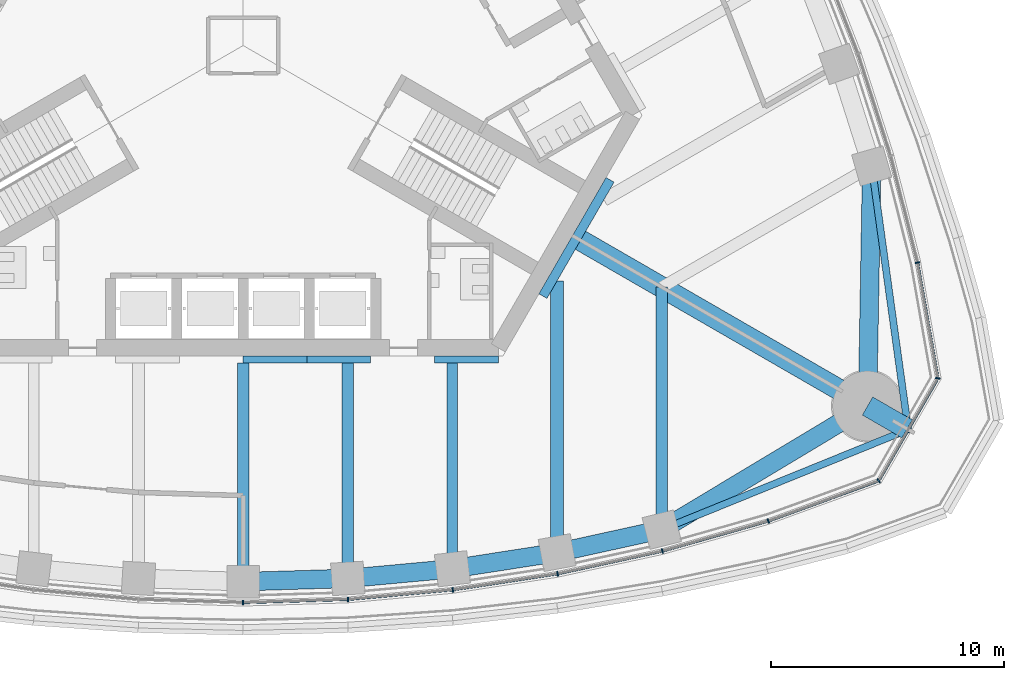
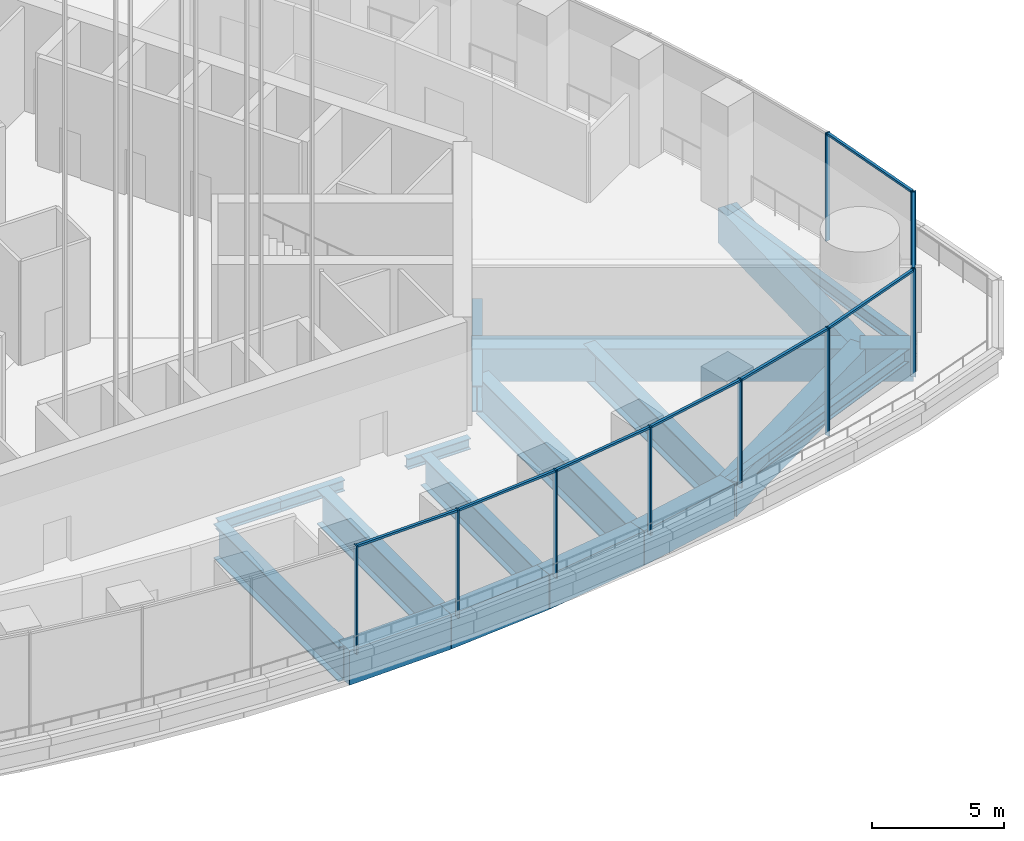
# One storey, part 4 of 26: 20 beams, 17 members, 2 elements without a shape of their own.
"""IFC4 building model written with IfcOpenShell, lengths in metres."""

import ifcopenshell
import ifcopenshell.guid

model = None  # the IFC model being written
_history = None  # IfcOwnerHistory: only IFC2X3 demands one
_inside = {}  # id of a spatial element -> (the spatial element, [elements in it])
_under = {}  # id of a project, library or spatial element -> (it, [spatial elements below it])
_declared = {}  # id of a project -> (the project, [libraries it declares])
_typed = {}  # id of a type object -> (the type object, [elements of that type])
_made_of = {}  # id of a material, layer set ... -> (it, [elements and type objects made of it])


def new_model(schema):
    """Start an empty IFC model of exactly this schema.

    Asked for "IFC4X3", IfcOpenShell would pick the latest addendum, in which some entities
    have other attributes; the version numbers below select the first issue.
    IFC2X3 requires an IfcOwnerHistory on every rooted entity: one is made here for all.
    """
    global model, _history
    if schema == "IFC4X3":
        model = ifcopenshell.file(schema_version=(4, 3, 0, 0))
    else:
        model = ifcopenshell.file(schema=schema)
    _inside.clear()
    _under.clear()
    _declared.clear()
    _typed.clear()
    _made_of.clear()
    _history = None
    if model.schema == "IFC2X3":
        org = make("IfcOrganization", Name="unknown")
        user = make(
            "IfcPersonAndOrganization",
            ThePerson=make("IfcPerson", FamilyName="unknown"),
            TheOrganization=org,
        )
        app = make(
            "IfcApplication",
            ApplicationDeveloper=org,
            Version="unknown",
            ApplicationFullName="unknown",
            ApplicationIdentifier="unknown",
        )
        _history = make(
            "IfcOwnerHistory",
            OwningUser=user,
            OwningApplication=app,
            ChangeAction="ADDED",
            CreationDate=0,
        )
    return model


def make(cls, **values):
    """One entity of the class cls with the attributes given. An attribute that is None is left unset."""
    return model.create_entity(
        cls, **{name: value for name, value in values.items() if value is not None}
    )


def rooted(cls, **values):
    """An entity with a GlobalId (a new one), such as an element, a storey or a relation."""
    return make(cls, GlobalId=ifcopenshell.guid.new(), OwnerHistory=_history, **values)


def si_unit(unit_type, name, prefix=None):
    """IfcSIUnit, for example si_unit("LENGTHUNIT", "METRE", prefix="MILLI")."""
    return make("IfcSIUnit", UnitType=unit_type, Prefix=prefix, Name=name)


def assignment(units):
    """IfcUnitAssignment: the units of a project."""
    return None if units is None else make("IfcUnitAssignment", Units=units)


def point(xyz):
    """IfcCartesianPoint."""
    return None if xyz is None else make("IfcCartesianPoint", Coordinates=xyz)


def direction(xyz):
    """IfcDirection."""
    return None if xyz is None else make("IfcDirection", DirectionRatios=xyz)


def frame(location, z_axis=None, x_axis=None):
    """IfcAxis2Placement3D, a coordinate frame: its origin and axes. An axis left out is left unset."""
    return make(
        "IfcAxis2Placement3D",
        Location=point(location),
        Axis=direction(z_axis),
        RefDirection=direction(x_axis),
    )


def frame_2d(location, x_axis=None):
    """IfcAxis2Placement2D, a coordinate frame in the plane: its origin and x axis."""
    return make(
        "IfcAxis2Placement2D", Location=point(location), RefDirection=direction(x_axis)
    )


def origin():
    """The frame at (0, 0, 0) with its axes left unset."""
    return frame((0.0, 0.0, 0.0))


def origin_2d():
    """The frame at (0, 0) in the plane with its x axis left unset."""
    return frame_2d((0.0, 0.0))


def place(relative_to, where):
    """IfcLocalPlacement: puts the frame where relative to a parent placement (None: the world)."""
    return make(
        "IfcLocalPlacement", PlacementRelTo=relative_to, RelativePlacement=where
    )


def context(
    kind, dimensions, precision=None, world=None, true_north=None, identifier=None
):
    """IfcGeometricRepresentationContext, for example the 3D "Model" context."""
    return make(
        "IfcGeometricRepresentationContext",
        ContextIdentifier=identifier,
        ContextType=kind,
        CoordinateSpaceDimension=dimensions,
        Precision=precision,
        WorldCoordinateSystem=world,
        TrueNorth=true_north,
    )


def subcontext(parent, identifier, kind, view, scale=None):
    """IfcGeometricRepresentationSubContext, for example "Body" below "Model"."""
    return make(
        "IfcGeometricRepresentationSubContext",
        ContextIdentifier=identifier,
        ContextType=kind,
        ParentContext=parent,
        TargetScale=scale,
        TargetView=view,
    )


def project(units=None, contexts=None):
    """IfcProject with its units and contexts."""
    return rooted(
        "IfcProject",
        Name="project",
        RepresentationContexts=contexts,
        UnitsInContext=assignment(units),
    )


def spatial(cls, under=None, at=None, **own):
    """A site, building, storey or space (cls), placed at a placement, below another one or the project."""
    s = rooted(cls, ObjectPlacement=at, **own)
    if under is not None:
        _under.setdefault(under.id(), (under, []))[1].append(s)
    return s


def profile(cls, at=None, kind="AREA", **sizes):
    """A parametric profile (cls). Its sizes go by their IFC names, for example OverallWidth=200.0."""
    return make(cls, ProfileType=kind, Position=at, **sizes)


def rectangle(**sizes):
    """IfcRectangleProfileDef."""
    return profile("IfcRectangleProfileDef", **sizes)


def i_section(**sizes):
    """IfcIShapeProfileDef."""
    return profile("IfcIShapeProfileDef", **sizes)


def extrude(swept, where, along, depth):
    """IfcExtrudedAreaSolid: the profile swept, set in the frame where, extruded along a direction by depth."""
    return make(
        "IfcExtrudedAreaSolid",
        SweptArea=swept,
        Position=where,
        ExtrudedDirection=direction(along),
        Depth=depth,
    )


def shape(context_of_items, identifier, shape_type, items):
    """IfcShapeRepresentation: the items that make up one representation, for example the "Body"."""
    return make(
        "IfcShapeRepresentation",
        ContextOfItems=context_of_items,
        RepresentationIdentifier=identifier,
        RepresentationType=shape_type,
        Items=items,
    )


def material(Name=None, Category=None):
    """IfcMaterial."""
    return make("IfcMaterial", Name=Name, Category=Category)


def material_profile(
    of_material, cross_section, Name=None, Category=None, Priority=None
):
    """IfcMaterialProfile: a cross section and its material."""
    return make(
        "IfcMaterialProfile",
        Name=Name,
        Material=of_material,
        Profile=cross_section,
        Priority=Priority,
        Category=Category,
    )


def profile_set(profiles, Name=None, composite=None):
    """IfcMaterialProfileSet."""
    return make(
        "IfcMaterialProfileSet",
        Name=Name,
        MaterialProfiles=profiles,
        CompositeProfile=composite,
    )


def made_of(thing, what):
    """Note that an element or type object is made of a material, layer set ...; save() writes the relation."""
    if what is not None:
        _made_of.setdefault(what.id(), (what, []))[1].append(thing)
    return thing


def type_object(cls, material=None, **own):
    """A type object (cls), such as IfcWallType, which elements share."""
    return made_of(rooted(cls, **own), material)


def element(
    cls,
    number,
    at=None,
    inside=None,
    cuts=None,
    type_object=None,
    material=None,
    context=None,
    identifier="Body",
    shape_type=None,
    held_by="IfcProductDefinitionShape",
    body=None,
    shapes=None,
    **own,
):
    """One element of the class cls, such as IfcWall. Its Tag is "e" and its number.

    at: its placement. inside: the storey or other place that contains it. cuts: it is an
    opening in that element (IfcRelVoidsElement). A single representation is given by context,
    identifier, shape_type and body (its items); several are given by shapes. held_by: the class
    of the entity that holds the representations. save() writes the other relations.
    """
    e = rooted(cls, Tag="e%d" % number, ObjectPlacement=at, **own)
    if body is not None:
        shapes = [shape(context, identifier, shape_type, body)]
    if shapes is not None:
        e.Representation = make(held_by, Representations=shapes)
    if inside is not None:
        _inside.setdefault(inside.id(), (inside, []))[1].append(e)
    if cuts is not None:
        rooted(
            "IfcRelVoidsElement", RelatingBuildingElement=cuts, RelatedOpeningElement=e
        )
    if type_object is not None:
        _typed.setdefault(type_object.id(), (type_object, []))[1].append(e)
    return made_of(e, material)


def aggregate(whole, parts):
    """IfcRelAggregates: a whole, such as a stair, and the parts it consists of."""
    return rooted("IfcRelAggregates", RelatingObject=whole, RelatedObjects=parts)


def save(model, path):
    """Write the relations noted so far, then the file.

    IfcRelAggregates (storeys below a building ...), IfcRelContainedInSpatialStructure (elements
    in a storey), IfcRelDefinesByType, IfcRelAssociatesMaterial and IfcRelDeclares: one each for
    every whole, place, type object, material and project.
    """
    for whole, parts in _under.values():
        aggregate(whole, parts)
    for where, things in _inside.values():
        rooted(
            "IfcRelContainedInSpatialStructure",
            RelatedElements=things,
            RelatingStructure=where,
        )
    for kind, things in _typed.values():
        rooted("IfcRelDefinesByType", RelatedObjects=things, RelatingType=kind)
    for what, things in _made_of.values():
        rooted("IfcRelAssociatesMaterial", RelatedObjects=things, RelatingMaterial=what)
    for by, libraries in _declared.values():
        rooted("IfcRelDeclares", RelatingContext=by, RelatedDefinitions=libraries)
    model.write(path)


model = new_model("IFC4")

# Units and contexts
model_context = context("Model", 3, precision=1e-05, world=origin(), true_north=direction((0.0, 1.0)))
body_context = subcontext(model_context, "Body", "Model", "MODEL_VIEW")
ifc_project = project(units=[si_unit("LENGTHUNIT", "METRE"), si_unit("AREAUNIT", "SQUARE_METRE"), si_unit("VOLUMEUNIT", "CUBIC_METRE"), si_unit("PLANEANGLEUNIT", "RADIAN"), si_unit("MASSUNIT", "GRAM", prefix="KILO")], contexts=[model_context])

# Site, building, storey
site_placement = place(None, origin())
site = spatial("IfcSite", under=ifc_project, at=site_placement, CompositionType="ELEMENT")
building_placement = place(site_placement, origin())
building = spatial("IfcBuilding", under=site, at=building_placement, Name="Trefoil Bronze Tower", CompositionType="ELEMENT")
storey_placement = place(building_placement, frame((0.0, 0.0, 271.300048828125)))
storey = spatial("IfcBuildingStorey", under=building, at=storey_placement, Name="L62", CompositionType="ELEMENT", Elevation=271.300048828125)

# Curtain wall, members
ifc_material_1 = material(Name="Tinted solar-control glass", Category="glass")
curtain_wall_type_1 = type_object("IfcCurtainWallType", Name="Bronze rounded corner curtain wall", PredefinedType="USERDEFINED", material=ifc_material_1)
curtain_wall_1_placement = place(storey_placement, origin())
curtain_wall_1 = element("IfcCurtainWall", 1, at=curtain_wall_1_placement, inside=storey, type_object=curtain_wall_type_1, Name="CW-B L62 K1", ObjectType="CURTAIN WALL", PredefinedType="USERDEFINED")
ifc_material_2 = material(Name="Bronze-finish aluminium", Category="aluminium")
ifc_material_profile_1 = material_profile(ifc_material_2, rectangle(XDim=0.199951171875, YDim=0.06005859375, at=origin_2d()), Name="CW-B mullion")
ifc_profile_set_1 = profile_set([ifc_material_profile_1], Name="Bronze-finish aluminium")
member_type_1 = type_object("IfcMemberType", Name="Bronze rounded corner curtain wall mullion", PredefinedType="MULLION", material=ifc_profile_set_1)
member_1_placement = place(storey_placement, frame((22.58251953125, -20.445556640625, 0.0), z_axis=(0.0, 0.0, 1.0), x_axis=(-0.342020143326, 0.939692620786, 0.0)))
member_1 = element("IfcMember", 2, at=member_1_placement, type_object=member_type_1, Name="CW-B L62 K1 mullion 1", PredefinedType="MULLION", context=body_context, shape_type="SweptSolid", body=[
    extrude(rectangle(XDim=0.199951171875, YDim=0.06005859375, at=origin_2d()), origin(), (0.0, 0.0, 1.0), 4.97998046875),
])
member_2_placement = place(storey_placement, frame((27.326416015625, -18.712646484375, 0.0), z_axis=(0.0, 0.0, 1.0), x_axis=(-0.642787609687, 0.766044443119, 0.0)))
member_2 = element("IfcMember", 3, at=member_2_placement, type_object=member_type_1, Name="CW-B L62 K1 mullion 2", PredefinedType="MULLION", context=body_context, shape_type="SweptSolid", body=[
    extrude(rectangle(XDim=0.199951171875, YDim=0.06005859375, at=origin_2d()), origin(), (0.0, 0.0, 1.0), 4.97998046875),
])
member_3_placement = place(storey_placement, frame((29.86865234375, -14.30908203125, 0.0), z_axis=(0.0, 0.0, 1.0), x_axis=(-0.984807753012, 0.173648177667, 0.0)))
member_3 = element("IfcMember", 4, at=member_3_placement, type_object=member_type_1, Name="CW-B L62 K1 mullion 3", PredefinedType="MULLION", context=body_context, shape_type="SweptSolid", body=[
    extrude(rectangle(XDim=0.199951171875, YDim=0.06005859375, at=origin_2d()), origin(), (0.0, 0.0, 1.0), 4.97998046875),
])
member_4_placement = place(storey_placement, frame((28.99755859375, -9.334228515625, 0.0), z_axis=(0.0, 0.0, 1.0), x_axis=(-0.984807753012, -0.173648177667, 0.0)))
member_4 = element("IfcMember", 5, at=member_4_placement, type_object=member_type_1, Name="CW-B L62 K1 mullion 4", PredefinedType="MULLION", context=body_context, shape_type="SweptSolid", body=[
    extrude(rectangle(XDim=0.199951171875, YDim=0.06005859375, at=origin_2d()), origin(), (0.0, 0.0, 1.0), 4.97998046875),
])
ifc_material_3 = material(Name="Bronze-finish aluminium", Category="aluminium")
ifc_material_profile_2 = material_profile(ifc_material_3, rectangle(XDim=0.1201171875, YDim=0.10009765625, at=origin_2d()), Name="CW-B transom")
ifc_profile_set_2 = profile_set([ifc_material_profile_2], Name="Bronze-finish aluminium")
member_type_2 = type_object("IfcMemberType", Name="Bronze rounded corner curtain wall transom", PredefinedType="USERDEFINED", material=ifc_profile_set_2)
member_5_placement = place(storey_placement, frame((22.610595703125, -20.435302734375, 4.929931640625), z_axis=(0.93969990549, 0.342000128103, 0.0), x_axis=(-0.342000128103, 0.93969990549, 0.0)))
member_5 = element("IfcMember", 6, at=member_5_placement, type_object=member_type_2, Name="CW-B L62 K1 transom 1", ObjectType="TRANSOM", PredefinedType="USERDEFINED", context=body_context, shape_type="SweptSolid", body=[
    extrude(rectangle(XDim=0.1201171875, YDim=0.10009765625, at=origin_2d()), origin(), (0.0, 0.0, 1.0), 4.956298828125),
])
member_6_placement = place(storey_placement, frame((27.36376953125, -18.659912109375, 4.929931640625), z_axis=(0.499985403706, 0.866033830794, 0.0), x_axis=(-0.866033830794, 0.499985403706, 0.0)))
member_6 = element("IfcMember", 7, at=member_6_placement, type_object=member_type_2, Name="CW-B L62 K1 transom 2", ObjectType="TRANSOM", PredefinedType="USERDEFINED", context=body_context, shape_type="SweptSolid", body=[
    extrude(rectangle(XDim=0.1201171875, YDim=0.10009765625, at=origin_2d()), origin(), (0.0, 0.0, 1.0), 4.956298828125),
])
member_7_placement = place(storey_placement, frame((29.863525390625, -14.244873046875, 4.929931640625), z_axis=(-0.173633591509, 0.984810324834, 0.0), x_axis=(-0.984810324834, -0.173633591509, 0.0)))
member_7 = element("IfcMember", 8, at=member_7_placement, type_object=member_type_2, Name="CW-B L62 K1 transom 3", ObjectType="TRANSOM", PredefinedType="USERDEFINED", context=body_context, shape_type="SweptSolid", body=[
    extrude(rectangle(XDim=0.1201171875, YDim=0.10009765625, at=origin_2d()), origin(), (0.0, 0.0, 1.0), 4.956298828125),
])
aggregate(curtain_wall_1, [member_1, member_2, member_3, member_4, member_5, member_6, member_7])

ifc_material_4 = material(Name="Tinted solar-control glass", Category="glass")
curtain_wall_type_2 = type_object("IfcCurtainWallType", Name="Bronze sky lobby curtain wall", PredefinedType="USERDEFINED", material=ifc_material_4)
curtain_wall_2_placement = place(storey_placement, origin())
curtain_wall_2 = element("IfcCurtainWall", 9, at=curtain_wall_2_placement, inside=storey, type_object=curtain_wall_type_2, Name="CW-D L62 F1", ObjectType="CURTAIN WALL", PredefinedType="USERDEFINED")
ifc_material_5 = material(Name="Bronze-finish aluminium", Category="aluminium")
ifc_material_profile_3 = material_profile(ifc_material_5, rectangle(XDim=0.199951171875, YDim=0.06005859375, at=origin_2d()), Name="CW-D mullion")
ifc_profile_set_3 = profile_set([ifc_material_profile_3], Name="Bronze-finish aluminium")
member_type_3 = type_object("IfcMemberType", Name="Bronze sky lobby curtain wall mullion", PredefinedType="MULLION", material=ifc_profile_set_3)
member_8_placement = place(storey_placement, frame((0.0, -23.95166015625, 0.0), z_axis=(0.0, 0.0, 1.0), x_axis=(0.0, 1.0, 0.0)))
member_8 = element("IfcMember", 10, at=member_8_placement, type_object=member_type_3, Name="CW-D L62 F1 mullion 6", PredefinedType="MULLION", context=body_context, shape_type="SweptSolid", body=[
    extrude(rectangle(XDim=0.199951171875, YDim=0.06005859375, at=origin_2d()), origin(), (0.0, 0.0, 1.0), 4.97998046875),
])
member_9_placement = place(storey_placement, frame((4.506103515625, -23.815185546875, 0.0), z_axis=(0.0, 0.0, 1.0), x_axis=(-0.060554040199, 0.998164920349, 0.0)))
member_9 = element("IfcMember", 11, at=member_9_placement, type_object=member_type_3, Name="CW-D L62 F1 mullion 7", PredefinedType="MULLION", context=body_context, shape_type="SweptSolid", body=[
    extrude(rectangle(XDim=0.199951171875, YDim=0.06005859375, at=origin_2d()), origin(), (0.0, 0.0, 1.0), 4.97998046875),
])
member_10_placement = place(storey_placement, frame((9.01220703125, -23.404296875, 0.0), z_axis=(0.0, 0.0, 1.0), x_axis=(-0.121109330868, 0.992639174109, 0.0)))
member_10 = element("IfcMember", 12, at=member_10_placement, type_object=member_type_3, Name="CW-D L62 F1 mullion 8", PredefinedType="MULLION", context=body_context, shape_type="SweptSolid", body=[
    extrude(rectangle(XDim=0.199951171875, YDim=0.06005859375, at=origin_2d()), origin(), (0.0, 0.0, 1.0), 4.97998046875),
])
member_11_placement = place(storey_placement, frame((13.51806640625, -22.714599609375, 0.0), z_axis=(0.0, 0.0, 1.0), x_axis=(-0.181667218242, 0.983360067227, 0.0)))
member_11 = element("IfcMember", 13, at=member_11_placement, type_object=member_type_3, Name="CW-D L62 F1 mullion 9", PredefinedType="MULLION", context=body_context, shape_type="SweptSolid", body=[
    extrude(rectangle(XDim=0.199951171875, YDim=0.06005859375, at=origin_2d()), origin(), (0.0, 0.0, 1.0), 4.97998046875),
])
member_12_placement = place(storey_placement, frame((18.024169921875, -21.73779296875, 0.0), z_axis=(0.0, 0.0, 1.0), x_axis=(-0.242394494031, 0.97017777199, 0.0)))
member_12 = element("IfcMember", 14, at=member_12_placement, type_object=member_type_3, Name="CW-D L62 F1 mullion 10", PredefinedType="MULLION", context=body_context, shape_type="SweptSolid", body=[
    extrude(rectangle(XDim=0.199951171875, YDim=0.06005859375, at=origin_2d()), origin(), (0.0, 0.0, 1.0), 4.97998046875),
])
ifc_material_6 = material(Name="Bronze-finish aluminium", Category="aluminium")
ifc_material_profile_4 = material_profile(ifc_material_6, rectangle(XDim=0.1201171875, YDim=0.10009765625, at=origin_2d()), Name="CW-D transom")
ifc_profile_set_4 = profile_set([ifc_material_profile_4], Name="Bronze-finish aluminium")
member_type_4 = type_object("IfcMemberType", Name="Bronze sky lobby curtain wall transom", PredefinedType="USERDEFINED", material=ifc_profile_set_4)
member_13_placement = place(storey_placement, frame((0.032958984375, -23.95068359375, 4.929931640625), z_axis=(0.999541380808, 0.030282471041, 0.0), x_axis=(-0.030282471041, 0.999541380808, 0.0)))
member_13 = element("IfcMember", 15, at=member_13_placement, type_object=member_type_4, Name="CW-D L62 F1 transom 6", ObjectType="TRANSOM", PredefinedType="USERDEFINED", context=body_context, shape_type="SweptSolid", body=[
    extrude(rectangle(XDim=0.1201171875, YDim=0.10009765625, at=origin_2d()), origin(), (0.0, 0.0, 1.0), 4.442138671875),
])
member_14_placement = place(storey_placement, frame((4.5390625, -23.812255859375, 4.929931640625), z_axis=(0.995870284307, 0.090787536778, 0.0), x_axis=(-0.090787536778, 0.995870284307, 0.0)))
member_14 = element("IfcMember", 16, at=member_14_placement, type_object=member_type_4, Name="CW-D L62 F1 transom 7", ObjectType="TRANSOM", PredefinedType="USERDEFINED", context=body_context, shape_type="SweptSolid", body=[
    extrude(rectangle(XDim=0.1201171875, YDim=0.10009765625, at=origin_2d()), origin(), (0.0, 0.0, 1.0), 4.45849609375),
])
member_15_placement = place(storey_placement, frame((9.044677734375, -23.3994140625, 4.929931640625), z_axis=(0.988489507985, 0.151289433218, 0.0), x_axis=(-0.151289433218, 0.988489507985, 0.0)))
member_15 = element("IfcMember", 17, at=member_15_placement, type_object=member_type_4, Name="CW-D L62 F1 transom 8", ObjectType="TRANSOM", PredefinedType="USERDEFINED", context=body_context, shape_type="SweptSolid", body=[
    extrude(rectangle(XDim=0.1201171875, YDim=0.10009765625, at=origin_2d()), origin(), (0.0, 0.0, 1.0), 4.49267578125),
])
member_16_placement = place(storey_placement, frame((13.550537109375, -22.70751953125, 4.929931640625), z_axis=(0.977307572451, 0.211825184596, 0.0), x_axis=(-0.211825184596, 0.977307572451, 0.0)))
member_16 = element("IfcMember", 18, at=member_16_placement, type_object=member_type_4, Name="CW-D L62 F1 transom 9", ObjectType="TRANSOM", PredefinedType="USERDEFINED", context=body_context, shape_type="SweptSolid", body=[
    extrude(rectangle(XDim=0.1201171875, YDim=0.10009765625, at=origin_2d()), origin(), (0.0, 0.0, 1.0), 4.54443359375),
])
member_17_placement = place(storey_placement, frame((18.05615234375, -21.728759765625, 4.929931640625), z_axis=(0.962104086165, 0.27268246622, 0.0), x_axis=(-0.27268246622, 0.962104086165, 0.0)))
member_17 = element("IfcMember", 19, at=member_17_placement, type_object=member_type_4, Name="CW-D L62 F1 transom 10", ObjectType="TRANSOM", PredefinedType="USERDEFINED", context=body_context, shape_type="SweptSolid", body=[
    extrude(rectangle(XDim=0.1201171875, YDim=0.10009765625, at=origin_2d()), origin(), (0.0, 0.0, 1.0), 4.667236328125),
])
aggregate(curtain_wall_2, [member_8, member_9, member_10, member_11, member_12, member_13, member_14, member_15, member_16, member_17])

# Beams
ifc_material_7 = material(Name="Steel C355", Category="steel")
ifc_material_profile_5 = material_profile(ifc_material_7, i_section(OverallWidth=0.300048828125, OverallDepth=0.5, WebThickness=0.014404296875, FlangeThickness=0.028076171875, FilletRadius=0.027099609375, at=origin_2d()), Name="HEB 500")
ifc_profile_set_5 = profile_set([ifc_material_profile_5], Name="Steel C355")
beam_type_1 = type_object("IfcBeamType", Name="Core seat beam HEB 500", PredefinedType="BEAM", material=ifc_profile_set_5)
for number, where, z_axis, x_axis, name in (
    (20, (0.0, -13.5, -0.449951171875), (1.0, 0.0, 0.0), (0.0, 1.0, 0.0), "Core seat beam F1/+0 L62"),
    (21, (2.742431640625, -13.5, -0.449951171875), (1.0, 0.0, 0.0), (0.0, 1.0, 0.0), "Core seat beam F1/+1 L62"),
    (22, (8.227294921875, -13.5, -0.449951171875), (1.0, 0.0, 0.0), (0.0, 1.0, 0.0), "Core seat beam F1/+2 L62"),
):
    element("IfcBeam", number, at=place(storey_placement, frame(where, z_axis=z_axis, x_axis=x_axis)), inside=storey, type_object=beam_type_1, Name=name, PredefinedType="BEAM", context=body_context, shape_type="SweptSolid", body=[
        extrude(i_section(OverallWidth=0.300048828125, OverallDepth=0.5, WebThickness=0.014404296875, FlangeThickness=0.028076171875, FilletRadius=0.027099609375, at=origin_2d()), origin(), (0.0, 0.0, 1.0), 2.742431640625),
    ])
ifc_material_8 = material(Name="Steel C355", Category="steel")
ifc_material_profile_6 = material_profile(ifc_material_8, i_section(OverallWidth=0.39990234375, OverallDepth=1.199951171875, WebThickness=0.02001953125, FlangeThickness=0.0400390625, FilletRadius=0.010009765625, at=origin_2d()), Name="WPG 1200")
ifc_profile_set_6 = profile_set([ifc_material_profile_6], Name="Steel C355")
beam_type_2 = type_object("IfcBeamType", Name="Core seat beam WPG 1200", PredefinedType="BEAM", material=ifc_profile_set_6)
for number, where, z_axis, x_axis, name in (
    (23, (12.889404296875, -10.77490234375, -0.800048828125), (0.499995765644, 0.866027848477, 0.0), (-0.866027848477, 0.499995765644, 0.0), "Core seat beam F1/+3 L62"),
    (24, (14.332763671875, -8.27490234375, -0.800048828125), (0.499995765644, 0.866027848477, 0.0), (-0.866027848477, 0.499995765644, 0.0), "Core seat beam F2/-3 L62"),
):
    element("IfcBeam", number, at=place(storey_placement, frame(where, z_axis=z_axis, x_axis=x_axis)), inside=storey, type_object=beam_type_2, Name=name, PredefinedType="BEAM", context=body_context, shape_type="SweptSolid", body=[
        extrude(i_section(OverallWidth=0.39990234375, OverallDepth=1.199951171875, WebThickness=0.02001953125, FlangeThickness=0.0400390625, FilletRadius=0.010009765625, at=origin_2d()), origin(), (0.0, 0.0, 1.0), 2.88671875),
    ])
ifc_material_9 = material(Name="Concrete B80", Category="concrete")
ifc_material_profile_7 = material_profile(ifc_material_9, rectangle(XDim=0.89990234375, YDim=1.5, at=origin_2d()), Name="RC 900x1500")
ifc_profile_set_7 = profile_set([ifc_material_profile_7], Name="Concrete B80")
beam_type_3 = type_object("IfcBeamType", Name="Corner cantilever RC 900x1500", PredefinedType="BEAM", material=ifc_profile_set_7)
beam_1_placement = place(storey_placement, frame((26.8466796875, -15.5, -0.949951171875), z_axis=(0.866010470582, -0.500025864173, 0.0), x_axis=(0.500025864173, 0.866010470582, 0.0)))
element("IfcBeam", 25, at=beam_1_placement, inside=storey, type_object=beam_type_3, Name="Corner cantilever K1 L62", PredefinedType="BEAM", context=body_context, shape_type="SweptSolid", body=[
    extrude(rectangle(XDim=0.89990234375, YDim=1.5, at=origin_2d()), origin(), (0.0, 0.0, 1.0), 2.02001953125),
])
ifc_material_10 = material(Name="Steel C355", Category="steel")
ifc_material_profile_8 = material_profile(ifc_material_10, i_section(OverallWidth=0.300048828125, OverallDepth=0.60009765625, WebThickness=0.015380859375, FlangeThickness=0.030029296875, FilletRadius=0.027099609375, at=origin_2d()), Name="HEB 600")
ifc_profile_set_8 = profile_set([ifc_material_profile_8], Name="Steel C355")
beam_type_4 = type_object("IfcBeamType", Name="Corner edge beam HEB 600", PredefinedType="BEAM", material=ifc_profile_set_8)
beam_2_placement = place(storey_placement, frame((18.0, -20.816162109375, -0.5), z_axis=(0.926419351914, 0.376493272714, 0.0), x_axis=(-0.376493272714, 0.926419351914, 0.0)))
element("IfcBeam", 26, at=beam_2_placement, inside=storey, type_object=beam_type_4, Name="Corner edge beam F1A L62", PredefinedType="BEAM", context=body_context, shape_type="SweptSolid", body=[
    extrude(i_section(OverallWidth=0.300048828125, OverallDepth=0.60009765625, WebThickness=0.015380859375, FlangeThickness=0.030029296875, FilletRadius=0.027099609375, at=origin_2d()), origin(), (0.0, 0.0, 1.0), 11.4375),
])
beam_3_placement = place(storey_placement, frame((27.02734375, -5.180419921875, -0.5), z_axis=(0.137143714313, -0.990551160529, 0.0), x_axis=(0.990551160529, 0.137143714313, 0.0)))
element("IfcBeam", 27, at=beam_3_placement, inside=storey, type_object=beam_type_4, Name="Corner edge beam F2B L62", PredefinedType="BEAM", context=body_context, shape_type="SweptSolid", body=[
    extrude(i_section(OverallWidth=0.300048828125, OverallDepth=0.60009765625, WebThickness=0.015380859375, FlangeThickness=0.030029296875, FilletRadius=0.027099609375, at=origin_2d()), origin(), (0.0, 0.0, 1.0), 11.437744140625),
])
ifc_material_11 = material(Name="Concrete B80", Category="concrete")
ifc_material_profile_9 = material_profile(ifc_material_11, rectangle(XDim=0.89990234375, YDim=1.5, at=origin_2d()), Name="RC 900x1500")
ifc_profile_set_9 = profile_set([ifc_material_profile_9], Name="Concrete B80")
beam_type_5 = type_object("IfcBeamType", Name="Corner girder RC 900x1500", PredefinedType="BEAM", material=ifc_profile_set_9)
beam_4_placement = place(storey_placement, frame((14.159423828125, -8.175048828125, -0.949951171875), z_axis=(0.866026568746, -0.499997982221, 0.0), x_axis=(0.499997982221, 0.866026568746, 0.0)))
element("IfcBeam", 28, at=beam_4_placement, inside=storey, type_object=beam_type_5, Name="Corner girder K1 L62", PredefinedType="BEAM", context=body_context, shape_type="SweptSolid", body=[
    extrude(rectangle(XDim=0.89990234375, YDim=1.5, at=origin_2d()), origin(), (0.0, 0.0, 1.0), 14.64990234375),
])
ifc_material_12 = material(Name="Concrete B80", Category="concrete")
ifc_material_profile_10 = material_profile(ifc_material_12, rectangle(XDim=0.800048828125, YDim=1.60009765625, at=origin_2d()), Name="RC 800x1600")
ifc_profile_set_10 = profile_set([ifc_material_profile_10], Name="Concrete B80")
beam_type_6 = type_object("IfcBeamType", Name="End spandrel beam RC 800x1600", PredefinedType="SPANDREL", material=ifc_profile_set_10)
for number, where, z_axis, x_axis, name in (
    (29, (18.0, -20.816162109375, -1.0), (0.857144173035, 0.515076563855, 0.0), (-0.515076563855, 0.857144173035, 0.0), "Spandrel F1.10 L62"),
    (30, (26.8466796875, -15.5, -1.0), (0.017504237714, 0.999846789094, 0.0), (-0.999846789094, 0.017504237714, 0.0), "Spandrel F2.1 L62"),
):
    element("IfcBeam", number, at=place(storey_placement, frame(where, z_axis=z_axis, x_axis=x_axis)), inside=storey, type_object=beam_type_6, Name=name, PredefinedType="SPANDREL", context=body_context, shape_type="SweptSolid", body=[
        extrude(rectangle(XDim=0.800048828125, YDim=1.60009765625, at=origin_2d()), origin(), (0.0, 0.0, 1.0), 10.321044921875),
    ])
ifc_material_13 = material(Name="Steel C355", Category="steel")
ifc_material_profile_11 = material_profile(ifc_material_13, i_section(OverallWidth=0.449951171875, OverallDepth=1.39990234375, WebThickness=0.02294921875, FlangeThickness=0.044921875, FilletRadius=0.011962890625, at=origin_2d()), Name="WPG 1400")
ifc_profile_set_11 = profile_set([ifc_material_profile_11], Name="Steel C355")
beam_type_7 = type_object("IfcBeamType", Name="Floor beam WPG 1400", PredefinedType="BEAM", material=ifc_profile_set_11)
beam_5_placement = place(storey_placement, frame((9.0, -22.499267578125, -0.900146484375), z_axis=(0.0, 1.0, 0.0), x_axis=(-1.0, 0.0, 0.0)))
element("IfcBeam", 31, at=beam_5_placement, inside=storey, type_object=beam_type_7, Name="Floor beam F1/+2 L62", PredefinedType="BEAM", context=body_context, shape_type="SweptSolid", body=[
    extrude(i_section(OverallWidth=0.449951171875, OverallDepth=1.39990234375, WebThickness=0.02294921875, FlangeThickness=0.044921875, FilletRadius=0.011962890625, at=origin_2d()), origin(), (0.0, 0.0, 1.0), 8.849365234375),
])
ifc_material_14 = material(Name="Steel C355", Category="steel")
ifc_material_profile_12 = material_profile(ifc_material_14, i_section(OverallWidth=0.5, OverallDepth=1.60009765625, WebThickness=0.02587890625, FlangeThickness=0.050048828125, FilletRadius=0.011962890625, at=origin_2d()), Name="WPG 1600")
ifc_profile_set_12 = profile_set([ifc_material_profile_12], Name="Steel C355")
beam_type_8 = type_object("IfcBeamType", Name="Floor beam WPG 1600", PredefinedType="BEAM", material=ifc_profile_set_12)
beam_6_placement = place(storey_placement, frame((0.0, -23.051513671875, -1.0), z_axis=(0.0, 1.0, 0.0), x_axis=(-1.0, 0.0, 0.0)))
element("IfcBeam", 32, at=beam_6_placement, inside=storey, type_object=beam_type_8, Name="Floor beam F1/+0 L62", PredefinedType="BEAM", context=body_context, shape_type="SweptSolid", body=[
    extrude(i_section(OverallWidth=0.5, OverallDepth=1.60009765625, WebThickness=0.02587890625, FlangeThickness=0.050048828125, FilletRadius=0.011962890625, at=origin_2d()), origin(), (0.0, 0.0, 1.0), 9.401611328125),
])
beam_7_placement = place(storey_placement, frame((4.5, -22.913818359375, -1.0), z_axis=(0.0, 1.0, 0.0), x_axis=(-1.0, 0.0, 0.0)))
element("IfcBeam", 33, at=beam_7_placement, inside=storey, type_object=beam_type_8, Name="Floor beam F1/+1 L62", PredefinedType="BEAM", context=body_context, shape_type="SweptSolid", body=[
    extrude(i_section(OverallWidth=0.5, OverallDepth=1.60009765625, WebThickness=0.02587890625, FlangeThickness=0.050048828125, FilletRadius=0.011962890625, at=origin_2d()), origin(), (0.0, 0.0, 1.0), 9.263916015625),
])
beam_8_placement = place(storey_placement, frame((18.0, -20.816162109375, -1.0), z_axis=(0.0, 1.0, 0.0), x_axis=(-1.0, 0.0, 0.0)))
element("IfcBeam", 34, at=beam_8_placement, inside=storey, type_object=beam_type_8, Name="Floor beam F1/+4 L62", PredefinedType="BEAM", context=body_context, shape_type="SweptSolid", body=[
    extrude(i_section(OverallWidth=0.5, OverallDepth=1.60009765625, WebThickness=0.02587890625, FlangeThickness=0.050048828125, FilletRadius=0.011962890625, at=origin_2d()), origin(), (0.0, 0.0, 1.0), 10.423828125),
])
ifc_material_15 = material(Name="Steel C355", Category="steel")
ifc_material_profile_13 = material_profile(ifc_material_15, i_section(OverallWidth=0.550048828125, OverallDepth=1.800048828125, WebThickness=0.029052734375, FlangeThickness=0.054931640625, FilletRadius=0.013916015625, at=origin_2d()), Name="WPG 1800")
ifc_profile_set_13 = profile_set([ifc_material_profile_13], Name="Steel C355")
beam_type_9 = type_object("IfcBeamType", Name="Floor beam WPG 1800", PredefinedType="BEAM", material=ifc_profile_set_13)
beam_9_placement = place(storey_placement, frame((13.5, -21.802734375, -1.10009765625), z_axis=(0.0, 1.0, 0.0), x_axis=(-1.0, 0.0, 0.0)))
element("IfcBeam", 35, at=beam_9_placement, inside=storey, type_object=beam_type_9, Name="Floor beam F1/+3 L62", PredefinedType="BEAM", context=body_context, shape_type="SweptSolid", body=[
    extrude(i_section(OverallWidth=0.550048828125, OverallDepth=1.800048828125, WebThickness=0.029052734375, FlangeThickness=0.054931640625, FilletRadius=0.013916015625, at=origin_2d()), origin(), (0.0, 0.0, 1.0), 11.685302734375),
])
ifc_material_16 = material(Name="Concrete B80", Category="concrete")
ifc_material_profile_14 = material_profile(ifc_material_16, rectangle(XDim=0.800048828125, YDim=1.60009765625, at=origin_2d()), Name="RC 800x1600")
ifc_profile_set_14 = profile_set([ifc_material_profile_14], Name="Concrete B80")
beam_type_10 = type_object("IfcBeamType", Name="Spandrel beam RC 800x1600", PredefinedType="SPANDREL", material=ifc_profile_set_14)
beam_10_placement = place(storey_placement, frame((0.0, -23.051513671875, -1.0), z_axis=(0.999532180362, 0.03058464354, 0.0), x_axis=(-0.03058464354, 0.999532180362, 0.0)))
element("IfcBeam", 36, at=beam_10_placement, inside=storey, type_object=beam_type_10, Name="Spandrel F1.6 L62", PredefinedType="SPANDREL", context=body_context, shape_type="SweptSolid", body=[
    extrude(rectangle(XDim=0.800048828125, YDim=1.60009765625, at=origin_2d()), origin(), (0.0, 0.0, 1.0), 4.502197265625),
])
beam_11_placement = place(storey_placement, frame((4.5, -22.913818359375, -1.0), z_axis=(0.995783550481, 0.091733966402, 0.0), x_axis=(-0.091733966402, 0.995783550481, 0.0)))
element("IfcBeam", 37, at=beam_11_placement, inside=storey, type_object=beam_type_10, Name="Spandrel F1.7 L62", PredefinedType="SPANDREL", context=body_context, shape_type="SweptSolid", body=[
    extrude(rectangle(XDim=0.800048828125, YDim=1.60009765625, at=origin_2d()), origin(), (0.0, 0.0, 1.0), 4.51904296875),
])
beam_12_placement = place(storey_placement, frame((9.0, -22.499267578125, -1.0), z_axis=(0.988231820946, 0.152963616816, 0.0), x_axis=(-0.152963616816, 0.988231820946, 0.0)))
element("IfcBeam", 38, at=beam_12_placement, inside=storey, type_object=beam_type_10, Name="Spandrel F1.8 L62", PredefinedType="SPANDREL", context=body_context, shape_type="SweptSolid", body=[
    extrude(rectangle(XDim=0.800048828125, YDim=1.60009765625, at=origin_2d()), origin(), (0.0, 0.0, 1.0), 4.553466796875),
])
beam_13_placement = place(storey_placement, frame((13.5, -21.802734375, -1.0), z_axis=(0.976800342355, 0.214152028182, 0.0), x_axis=(-0.214152028182, 0.976800342355, 0.0)))
element("IfcBeam", 39, at=beam_13_placement, inside=storey, type_object=beam_type_10, Name="Spandrel F1.9 L62", PredefinedType="SPANDREL", context=body_context, shape_type="SweptSolid", body=[
    extrude(rectangle(XDim=0.800048828125, YDim=1.60009765625, at=origin_2d()), origin(), (0.0, 0.0, 1.0), 4.60693359375),
])

save(model, "model.ifc")
